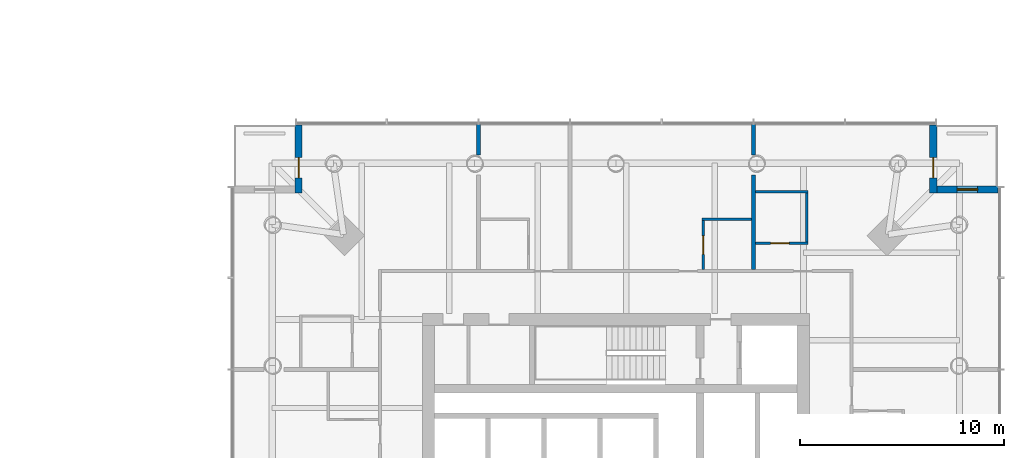
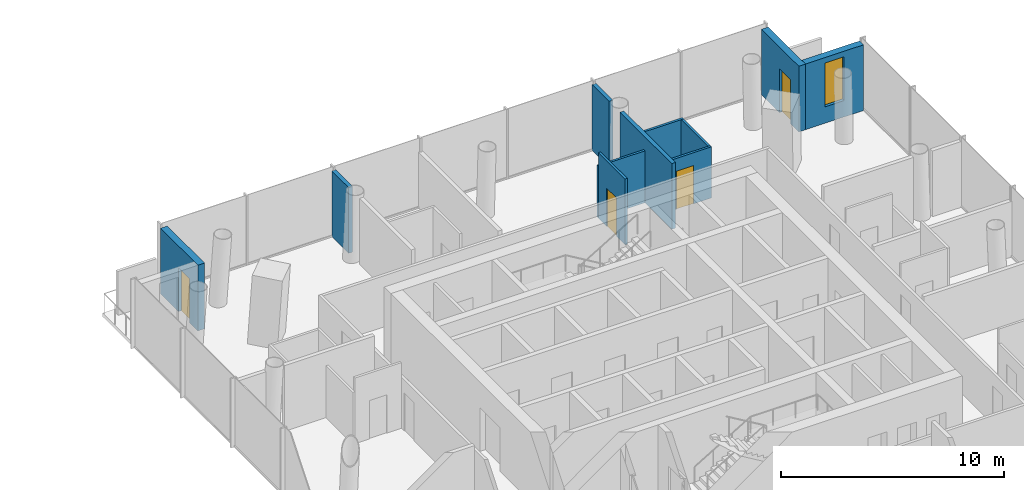
# One storey, part 15 of 18: 11 walls, 4 doors, 1 window, 5 openings.
"""IFC4 building model written with IfcOpenShell, lengths in metres."""

import ifcopenshell
import ifcopenshell.guid

model = None  # the IFC model being written
_history = None  # IfcOwnerHistory: only IFC2X3 demands one
_inside = {}  # id of a spatial element -> (the spatial element, [elements in it])
_under = {}  # id of a project, library or spatial element -> (it, [spatial elements below it])
_declared = {}  # id of a project -> (the project, [libraries it declares])
_typed = {}  # id of a type object -> (the type object, [elements of that type])
_made_of = {}  # id of a material, layer set ... -> (it, [elements and type objects made of it])


def new_model(schema):
    """Start an empty IFC model of exactly this schema.

    Asked for "IFC4X3", IfcOpenShell would pick the latest addendum, in which some entities
    have other attributes; the version numbers below select the first issue.
    IFC2X3 requires an IfcOwnerHistory on every rooted entity: one is made here for all.
    """
    global model, _history
    if schema == "IFC4X3":
        model = ifcopenshell.file(schema_version=(4, 3, 0, 0))
    else:
        model = ifcopenshell.file(schema=schema)
    _inside.clear()
    _under.clear()
    _declared.clear()
    _typed.clear()
    _made_of.clear()
    _history = None
    if model.schema == "IFC2X3":
        org = make("IfcOrganization", Name="unknown")
        user = make(
            "IfcPersonAndOrganization",
            ThePerson=make("IfcPerson", FamilyName="unknown"),
            TheOrganization=org,
        )
        app = make(
            "IfcApplication",
            ApplicationDeveloper=org,
            Version="unknown",
            ApplicationFullName="unknown",
            ApplicationIdentifier="unknown",
        )
        _history = make(
            "IfcOwnerHistory",
            OwningUser=user,
            OwningApplication=app,
            ChangeAction="ADDED",
            CreationDate=0,
        )
    return model


def make(cls, **values):
    """One entity of the class cls with the attributes given. An attribute that is None is left unset."""
    return model.create_entity(
        cls, **{name: value for name, value in values.items() if value is not None}
    )


def rooted(cls, **values):
    """An entity with a GlobalId (a new one), such as an element, a storey or a relation."""
    return make(cls, GlobalId=ifcopenshell.guid.new(), OwnerHistory=_history, **values)


def si_unit(unit_type, name, prefix=None):
    """IfcSIUnit, for example si_unit("LENGTHUNIT", "METRE", prefix="MILLI")."""
    return make("IfcSIUnit", UnitType=unit_type, Prefix=prefix, Name=name)


def assignment(units):
    """IfcUnitAssignment: the units of a project."""
    return None if units is None else make("IfcUnitAssignment", Units=units)


def point(xyz):
    """IfcCartesianPoint."""
    return None if xyz is None else make("IfcCartesianPoint", Coordinates=xyz)


def direction(xyz):
    """IfcDirection."""
    return None if xyz is None else make("IfcDirection", DirectionRatios=xyz)


def frame(location, z_axis=None, x_axis=None):
    """IfcAxis2Placement3D, a coordinate frame: its origin and axes. An axis left out is left unset."""
    return make(
        "IfcAxis2Placement3D",
        Location=point(location),
        Axis=direction(z_axis),
        RefDirection=direction(x_axis),
    )


def frame_2d(location, x_axis=None):
    """IfcAxis2Placement2D, a coordinate frame in the plane: its origin and x axis."""
    return make(
        "IfcAxis2Placement2D", Location=point(location), RefDirection=direction(x_axis)
    )


def origin():
    """The frame at (0, 0, 0) with its axes left unset."""
    return frame((0.0, 0.0, 0.0))


def place(relative_to, where):
    """IfcLocalPlacement: puts the frame where relative to a parent placement (None: the world)."""
    return make(
        "IfcLocalPlacement", PlacementRelTo=relative_to, RelativePlacement=where
    )


def context(
    kind, dimensions, precision=None, world=None, true_north=None, identifier=None
):
    """IfcGeometricRepresentationContext, for example the 3D "Model" context."""
    return make(
        "IfcGeometricRepresentationContext",
        ContextIdentifier=identifier,
        ContextType=kind,
        CoordinateSpaceDimension=dimensions,
        Precision=precision,
        WorldCoordinateSystem=world,
        TrueNorth=true_north,
    )


def subcontext(parent, identifier, kind, view, scale=None):
    """IfcGeometricRepresentationSubContext, for example "Body" below "Model"."""
    return make(
        "IfcGeometricRepresentationSubContext",
        ContextIdentifier=identifier,
        ContextType=kind,
        ParentContext=parent,
        TargetScale=scale,
        TargetView=view,
    )


def project(units=None, contexts=None):
    """IfcProject with its units and contexts."""
    return rooted(
        "IfcProject",
        Name="project",
        RepresentationContexts=contexts,
        UnitsInContext=assignment(units),
    )


def spatial(cls, under=None, at=None, **own):
    """A site, building, storey or space (cls), placed at a placement, below another one or the project."""
    s = rooted(cls, ObjectPlacement=at, **own)
    if under is not None:
        _under.setdefault(under.id(), (under, []))[1].append(s)
    return s


def profile(cls, at=None, kind="AREA", **sizes):
    """A parametric profile (cls). Its sizes go by their IFC names, for example OverallWidth=200.0."""
    return make(cls, ProfileType=kind, Position=at, **sizes)


def rectangle(**sizes):
    """IfcRectangleProfileDef."""
    return profile("IfcRectangleProfileDef", **sizes)


def extrude(swept, where, along, depth):
    """IfcExtrudedAreaSolid: the profile swept, set in the frame where, extruded along a direction by depth."""
    return make(
        "IfcExtrudedAreaSolid",
        SweptArea=swept,
        Position=where,
        ExtrudedDirection=direction(along),
        Depth=depth,
    )


def shape(context_of_items, identifier, shape_type, items):
    """IfcShapeRepresentation: the items that make up one representation, for example the "Body"."""
    return make(
        "IfcShapeRepresentation",
        ContextOfItems=context_of_items,
        RepresentationIdentifier=identifier,
        RepresentationType=shape_type,
        Items=items,
    )


def material(Name=None, Category=None):
    """IfcMaterial."""
    return make("IfcMaterial", Name=Name, Category=Category)


def layer(
    of_material, thickness, ventilated=None, Name=None, Category=None, Priority=None
):
    """IfcMaterialLayer: one layer of a wall or slab, of a material (None: an air gap)."""
    return make(
        "IfcMaterialLayer",
        Material=of_material,
        LayerThickness=thickness,
        IsVentilated=ventilated,
        Name=Name,
        Category=Category,
        Priority=Priority,
    )


def layer_set(layers, Name=None):
    """IfcMaterialLayerSet."""
    return make("IfcMaterialLayerSet", MaterialLayers=layers, LayerSetName=Name)


def made_of(thing, what):
    """Note that an element or type object is made of a material, layer set ...; save() writes the relation."""
    if what is not None:
        _made_of.setdefault(what.id(), (what, []))[1].append(thing)
    return thing


def type_object(cls, material=None, **own):
    """A type object (cls), such as IfcWallType, which elements share."""
    return made_of(rooted(cls, **own), material)


def element(
    cls,
    number,
    at=None,
    inside=None,
    cuts=None,
    type_object=None,
    material=None,
    context=None,
    identifier="Body",
    shape_type=None,
    held_by="IfcProductDefinitionShape",
    body=None,
    shapes=None,
    **own,
):
    """One element of the class cls, such as IfcWall. Its Tag is "e" and its number.

    at: its placement. inside: the storey or other place that contains it. cuts: it is an
    opening in that element (IfcRelVoidsElement). A single representation is given by context,
    identifier, shape_type and body (its items); several are given by shapes. held_by: the class
    of the entity that holds the representations. save() writes the other relations.
    """
    e = rooted(cls, Tag="e%d" % number, ObjectPlacement=at, **own)
    if body is not None:
        shapes = [shape(context, identifier, shape_type, body)]
    if shapes is not None:
        e.Representation = make(held_by, Representations=shapes)
    if inside is not None:
        _inside.setdefault(inside.id(), (inside, []))[1].append(e)
    if cuts is not None:
        rooted(
            "IfcRelVoidsElement", RelatingBuildingElement=cuts, RelatedOpeningElement=e
        )
    if type_object is not None:
        _typed.setdefault(type_object.id(), (type_object, []))[1].append(e)
    return made_of(e, material)


def fill(opening, filler):
    """IfcRelFillsElement: the door or window that sits in an opening."""
    return rooted(
        "IfcRelFillsElement",
        RelatingOpeningElement=opening,
        RelatedBuildingElement=filler,
    )


def aggregate(whole, parts):
    """IfcRelAggregates: a whole, such as a stair, and the parts it consists of."""
    return rooted("IfcRelAggregates", RelatingObject=whole, RelatedObjects=parts)


def save(model, path):
    """Write the relations noted so far, then the file.

    IfcRelAggregates (storeys below a building ...), IfcRelContainedInSpatialStructure (elements
    in a storey), IfcRelDefinesByType, IfcRelAssociatesMaterial and IfcRelDeclares: one each for
    every whole, place, type object, material and project.
    """
    for whole, parts in _under.values():
        aggregate(whole, parts)
    for where, things in _inside.values():
        rooted(
            "IfcRelContainedInSpatialStructure",
            RelatedElements=things,
            RelatingStructure=where,
        )
    for kind, things in _typed.values():
        rooted("IfcRelDefinesByType", RelatedObjects=things, RelatingType=kind)
    for what, things in _made_of.values():
        rooted("IfcRelAssociatesMaterial", RelatedObjects=things, RelatingMaterial=what)
    for by, libraries in _declared.values():
        rooted("IfcRelDeclares", RelatingContext=by, RelatedDefinitions=libraries)
    model.write(path)


model = new_model("IFC4")

# Units and contexts
model_context = context("Model", 3, precision=1e-05, world=origin(), true_north=direction((0.0, 1.0)))
body_context = subcontext(model_context, "Body", "Model", "MODEL_VIEW")
ifc_project = project(units=[si_unit("LENGTHUNIT", "METRE"), si_unit("AREAUNIT", "SQUARE_METRE"), si_unit("VOLUMEUNIT", "CUBIC_METRE"), si_unit("PLANEANGLEUNIT", "RADIAN"), si_unit("MASSUNIT", "GRAM", prefix="KILO")], contexts=[model_context])

# Site, building, storey
site_placement = place(None, origin())
site = spatial("IfcSite", under=ifc_project, at=site_placement, CompositionType="ELEMENT")
building_placement = place(site_placement, origin())
building = spatial("IfcBuilding", under=site, at=building_placement, Name="Ostroluk Exchange", CompositionType="ELEMENT")
storey_placement = place(building_placement, frame((0.0, 0.0, 70.39990234375)))
storey = spatial("IfcBuildingStorey", under=building, at=storey_placement, Name="L17", CompositionType="ELEMENT", Elevation=70.39990234375)

# Wall, opening, door
ifc_material_1 = material(Name="Limestone", Category="masonry")
ifc_layer_1 = layer(ifc_material_1, 0.35009765625)
ifc_layer_set_1 = layer_set([ifc_layer_1], Name="Limestone facade wall 350")
wall_type_1 = type_object("IfcWallType", Name="Limestone facade wall 350", PredefinedType="SOLIDWALL", material=ifc_layer_set_1)
wall_1_placement = place(storey_placement, frame((132.574951171875, 64.75, 0.0), z_axis=(0.0, 0.0, 1.0), x_axis=(0.0, -1.0, 0.0)))
wall_1 = element("IfcWall", 1, at=wall_1_placement, inside=storey, type_object=wall_type_1, Name="Hotel tower NE corner wall L17 a", PredefinedType="SOLIDWALL", context=body_context, shape_type="SweptSolid", body=[
    extrude(rectangle(XDim=3.35009765625, YDim=0.35009765625, at=frame_2d((1.675048828125, 0.0))), origin(), (0.0, 0.0, 1.0), 3.60009765625),
])
opening_1_placement = place(wall_1_placement, frame((1.60009765625, 0.0, 0.0)))
opening_1 = element("IfcOpeningElement", 2, at=opening_1_placement, cuts=wall_1, Name="Opening D-B1", PredefinedType="OPENING", context=body_context, shape_type="SweptSolid", body=[
    extrude(rectangle(XDim=1.0, YDim=2.39990234375, at=frame_2d((0.5, 1.199951171875))), frame((0.0, 0.18505859375, 0.0), z_axis=(0.0, -1.0, 0.0), x_axis=(1.0, 0.0, 0.0)), (0.0, 0.0, 1.0), 0.3701171875),
])
ifc_material_2 = material(Name="Bronze framed glazed door", Category="aluminium")
door_type_1 = type_object("IfcDoorType", Name="Balcony door 1000 x 2400", OperationType="SINGLE_SWING_LEFT", PredefinedType="DOOR", material=ifc_material_2)
door_1_placement = place(opening_1_placement, origin())
door_1 = element("IfcDoor", 3, at=door_1_placement, inside=storey, type_object=door_type_1, Name="Hotel tower NE balcony door L17", OperationType="SINGLE_SWING_RIGHT", OverallHeight=2.39990234375, OverallWidth=1.0, PredefinedType="DOOR", context=body_context, shape_type="SweptSolid", body=[
    extrude(rectangle(XDim=1.0, YDim=2.39990234375, at=frame_2d((0.5, 1.199951171875))), frame((0.0, 0.02490234375, 0.0), z_axis=(0.0, -1.0, 0.0), x_axis=(1.0, 0.0, 0.0)), (0.0, 0.0, 1.0), 0.050048828125),
])
fill(opening_1, door_1)

# Wall, opening, window
wall_2_placement = place(storey_placement, frame((132.75, 61.574951171875, 0.0), z_axis=(0.0, 0.0, 1.0), x_axis=(1.0, 0.0, 0.0)))
wall_2 = element("IfcWall", 4, at=wall_2_placement, inside=storey, type_object=wall_type_1, Name="Hotel tower NE corner wall L17 b", PredefinedType="SOLIDWALL", context=body_context, shape_type="SweptSolid", body=[
    extrude(rectangle(XDim=3.0, YDim=0.35009765625, at=frame_2d((1.5, 0.0))), origin(), (0.0, 0.0, 1.0), 3.60009765625),
])
opening_2_placement = place(wall_2_placement, frame((1.0, 0.0, 0.89990234375)))
opening_2 = element("IfcOpeningElement", 5, at=opening_2_placement, cuts=wall_2, Name="Opening WN-L3", PredefinedType="OPENING", context=body_context, shape_type="SweptSolid", body=[
    extrude(rectangle(XDim=1.0, YDim=2.39990234375, at=frame_2d((0.5, 1.199951171875))), frame((0.0, 0.18505859375, 0.0), z_axis=(0.0, -1.0, 0.0), x_axis=(1.0, 0.0, 0.0)), (0.0, 0.0, 1.0), 0.3701171875),
])
ifc_material_3 = material(Name="Laminated clear glass", Category="glass")
window_type = type_object("IfcWindowType", Name="Hotel lancet window 1000 x 2400", PartitioningType="SINGLE_PANEL", PredefinedType="WINDOW", material=ifc_material_3)
window_placement = place(opening_2_placement, origin())
window = element("IfcWindow", 6, at=window_placement, inside=storey, type_object=window_type, Name="Hotel tower NE lancet window L17", OverallHeight=2.39990234375, OverallWidth=1.0, PartitioningType="SINGLE_PANEL", PredefinedType="WINDOW", context=body_context, shape_type="SweptSolid", body=[
    extrude(rectangle(XDim=1.0, YDim=2.39990234375, at=frame_2d((0.5, 1.199951171875))), frame((0.0, 0.030029296875, 0.0), z_axis=(0.0, -1.0, 0.0), x_axis=(1.0, 0.0, 0.0)), (0.0, 0.0, 1.0), 0.06005859375),
])
fill(opening_2, window)

# Wall, opening, door
wall_3_placement = place(storey_placement, frame((101.425048828125, 64.75, 0.0), z_axis=(0.0, 0.0, 1.0), x_axis=(0.0, -1.0, 0.0)))
wall_3 = element("IfcWall", 7, at=wall_3_placement, inside=storey, type_object=wall_type_1, Name="Hotel tower NW corner wall L17 a", PredefinedType="SOLIDWALL", context=body_context, shape_type="SweptSolid", body=[
    extrude(rectangle(XDim=3.35009765625, YDim=0.35009765625, at=frame_2d((1.675048828125, 0.0))), origin(), (0.0, 0.0, 1.0), 3.60009765625),
])
opening_3_placement = place(wall_3_placement, frame((1.60009765625, 0.0, 0.0)))
opening_3 = element("IfcOpeningElement", 8, at=opening_3_placement, cuts=wall_3, Name="Opening D-B1", PredefinedType="OPENING", context=body_context, shape_type="SweptSolid", body=[
    extrude(rectangle(XDim=1.0, YDim=2.39990234375, at=frame_2d((0.5, 1.199951171875))), frame((0.0, 0.18505859375, 0.0), z_axis=(0.0, -1.0, 0.0), x_axis=(1.0, 0.0, 0.0)), (0.0, 0.0, 1.0), 0.3701171875),
])
door_2_placement = place(opening_3_placement, origin())
door_2 = element("IfcDoor", 9, at=door_2_placement, inside=storey, type_object=door_type_1, Name="Hotel tower NW balcony door L17", OperationType="SINGLE_SWING_RIGHT", OverallHeight=2.39990234375, OverallWidth=1.0, PredefinedType="DOOR", context=body_context, shape_type="SweptSolid", body=[
    extrude(rectangle(XDim=1.0, YDim=2.39990234375, at=frame_2d((0.5, 1.199951171875))), frame((0.0, 0.02490234375, 0.0), z_axis=(0.0, -1.0, 0.0), x_axis=(1.0, 0.0, 0.0)), (0.0, 0.0, 1.0), 0.050048828125),
])
fill(opening_3, door_2)

ifc_material_4 = material(Name="Gypsum plasterboard partition, moisture resistant", Category="gypsum")
ifc_layer_2 = layer(ifc_material_4, 0.1201171875)
ifc_layer_set_2 = layer_set([ifc_layer_2], Name="Plasterboard en-suite wall 120")
wall_type_2 = type_object("IfcWallType", Name="Plasterboard en-suite wall 120", PredefinedType="PARTITIONING", material=ifc_layer_set_2)
wall_4_placement = place(storey_placement, frame((123.85009765625, 58.949951171875, 0.0), z_axis=(0.0, 0.0, 1.0), x_axis=(1.0, 0.0, 0.0)))
wall_4 = element("IfcWall", 10, at=wall_4_placement, inside=storey, type_object=wall_type_2, Name="En-suite wall", PredefinedType="PARTITIONING", context=body_context, shape_type="SweptSolid", body=[
    extrude(rectangle(XDim=2.579833984375, YDim=0.1201171875, at=frame_2d((1.2900390625, 0.0))), origin(), (0.0, 0.0, 1.0), 2.800048828125),
])
opening_4_placement = place(wall_4_placement, frame((0.75, 0.0, 0.0)))
opening_4 = element("IfcOpeningElement", 11, at=opening_4_placement, cuts=wall_4, Name="Opening D-02", PredefinedType="OPENING", context=body_context, shape_type="SweptSolid", body=[
    extrude(rectangle(XDim=0.89990234375, YDim=2.10009765625, at=frame_2d((0.449951171875, 1.050048828125))), frame((0.0, 0.070068359375, 0.0), z_axis=(0.0, -1.0, 0.0), x_axis=(1.0, 0.0, 0.0)), (0.0, 0.0, 1.0), 0.14013671875),
])
ifc_material_5 = material(Name="Timber", Category="wood")
door_type_2 = type_object("IfcDoorType", Name="En-suite door 900 x 2100", OperationType="SINGLE_SWING_LEFT", PredefinedType="DOOR", material=ifc_material_5)
door_3_placement = place(opening_4_placement, origin())
door_3 = element("IfcDoor", 12, at=door_3_placement, inside=storey, type_object=door_type_2, Name="En-suite door 1704", OperationType="SINGLE_SWING_LEFT", OverallHeight=2.10009765625, OverallWidth=0.89990234375, PredefinedType="DOOR", context=body_context, shape_type="SweptSolid", body=[
    extrude(rectangle(XDim=0.89990234375, YDim=2.10009765625, at=frame_2d((0.449951171875, 1.050048828125))), frame((0.0, 0.02490234375, 0.0), z_axis=(0.0, -1.0, 0.0), x_axis=(1.0, 0.0, 0.0)), (0.0, 0.0, 1.0), 0.050048828125),
])
fill(opening_4, door_3)

# Walls
wall_5_placement = place(storey_placement, frame((123.85009765625, 61.469970703125, 0.0), z_axis=(0.0, 0.0, 1.0), x_axis=(1.0, 0.0, 0.0)))
element("IfcWall", 13, at=wall_5_placement, inside=storey, type_object=wall_type_2, Name="En-suite wall", PredefinedType="PARTITIONING", context=body_context, shape_type="SweptSolid", body=[
    extrude(rectangle(XDim=2.579833984375, YDim=0.1201171875, at=frame_2d((1.2900390625, 0.0))), origin(), (0.0, 0.0, 1.0), 2.800048828125),
])
wall_6_placement = place(storey_placement, frame((126.3701171875, 59.010009765625, 0.0), z_axis=(0.0, 0.0, 1.0), x_axis=(0.0, 1.0, 0.0)))
element("IfcWall", 14, at=wall_6_placement, inside=storey, type_object=wall_type_2, Name="En-suite wall", PredefinedType="PARTITIONING", context=body_context, shape_type="SweptSolid", body=[
    extrude(rectangle(XDim=2.39990234375, YDim=0.1201171875, at=frame_2d((1.199951171875, 0.0))), origin(), (0.0, 0.0, 1.0), 2.800048828125),
])
wall_7_placement = place(storey_placement, frame((123.64990234375, 60.110107421875, 0.0), z_axis=(0.0, 0.0, 1.0), x_axis=(-1.0, 0.0, 0.0)))
element("IfcWall", 15, at=wall_7_placement, inside=storey, type_object=wall_type_2, Name="En-suite wall", PredefinedType="PARTITIONING", context=body_context, shape_type="SweptSolid", body=[
    extrude(rectangle(XDim=2.419921875, YDim=0.1201171875, at=frame_2d((1.2099609375, 0.0))), origin(), (0.0, 0.0, 1.0), 2.84716796875),
])

# Wall, opening, door
wall_8_placement = place(storey_placement, frame((121.2900390625, 57.64990234375, 0.0), z_axis=(0.0, 0.0, 1.0), x_axis=(0.0, 1.0, 0.0)))
wall_8 = element("IfcWall", 16, at=wall_8_placement, inside=storey, type_object=wall_type_2, Name="En-suite wall", PredefinedType="PARTITIONING", context=body_context, shape_type="SweptSolid", body=[
    extrude(rectangle(XDim=2.400146484375, YDim=0.1201171875, at=frame_2d((1.2001953125, 0.0))), origin(), (0.0, 0.0, 1.0), 3.60009765625),
])
opening_5_placement = place(wall_8_placement, frame((0.75, 0.0, 0.0)))
opening_5 = element("IfcOpeningElement", 17, at=opening_5_placement, cuts=wall_8, Name="Opening D-02", PredefinedType="OPENING", context=body_context, shape_type="SweptSolid", body=[
    extrude(rectangle(XDim=0.89990234375, YDim=2.10009765625, at=frame_2d((0.449951171875, 1.050048828125))), frame((0.0, 0.070068359375, 0.0), z_axis=(0.0, -1.0, 0.0), x_axis=(1.0, 0.0, 0.0)), (0.0, 0.0, 1.0), 0.14013671875),
])
door_4_placement = place(opening_5_placement, origin())
door_4 = element("IfcDoor", 18, at=door_4_placement, inside=storey, type_object=door_type_2, Name="En-suite door 1705", OperationType="SINGLE_SWING_RIGHT", OverallHeight=2.10009765625, OverallWidth=0.89990234375, PredefinedType="DOOR", context=body_context, shape_type="SweptSolid", body=[
    extrude(rectangle(XDim=0.89990234375, YDim=2.10009765625, at=frame_2d((0.449951171875, 1.050048828125))), frame((0.0, 0.02490234375, 0.0), z_axis=(0.0, -1.0, 0.0), x_axis=(1.0, 0.0, 0.0)), (0.0, 0.0, 1.0), 0.050048828125),
])
fill(opening_5, door_4)

# Walls
ifc_material_6 = material(Name="Gypsum plasterboard partition", Category="gypsum")
ifc_layer_3 = layer(ifc_material_6, 0.199951171875)
ifc_layer_set_3 = layer_set([ifc_layer_3], Name="Plasterboard party wall 200")
wall_type_3 = type_object("IfcWallType", Name="Plasterboard party wall 200", PredefinedType="PARTITIONING", material=ifc_layer_set_3)
wall_9_placement = place(storey_placement, frame((123.75, 57.64990234375, 0.0), z_axis=(0.0, 0.0, 1.0), x_axis=(0.0, 1.0, 0.0)))
element("IfcWall", 19, at=wall_9_placement, inside=storey, type_object=wall_type_3, Name="Party wall", PredefinedType="PARTITIONING", context=body_context, shape_type="SweptSolid", body=[
    extrude(rectangle(XDim=4.650390625, YDim=0.199951171875, at=frame_2d((2.3251953125, 0.0))), origin(), (0.0, 0.0, 1.0), 3.60009765625),
])
for number, where, z_axis, x_axis, name in (
    (20, (123.75, 63.277099609375, 0.0), (0.0, 0.0, 1.0), (0.0, 1.0, 0.0), "Party wall"),
    (21, (110.25, 63.277099609375, 0.0), (0.0, 0.0, 1.0), (0.0, 1.0, 0.0), "Party wall"),
):
    element("IfcWall", number, at=place(storey_placement, frame(where, z_axis=z_axis, x_axis=x_axis)), inside=storey, type_object=wall_type_3, Name=name, PredefinedType="PARTITIONING", context=body_context, shape_type="SweptSolid", body=[
        extrude(rectangle(XDim=1.512939453125, YDim=0.199951171875, at=frame_2d((0.75634765625, 0.0))), origin(), (0.0, 0.0, 1.0), 3.60009765625),
    ])

save(model, "model.ifc")
